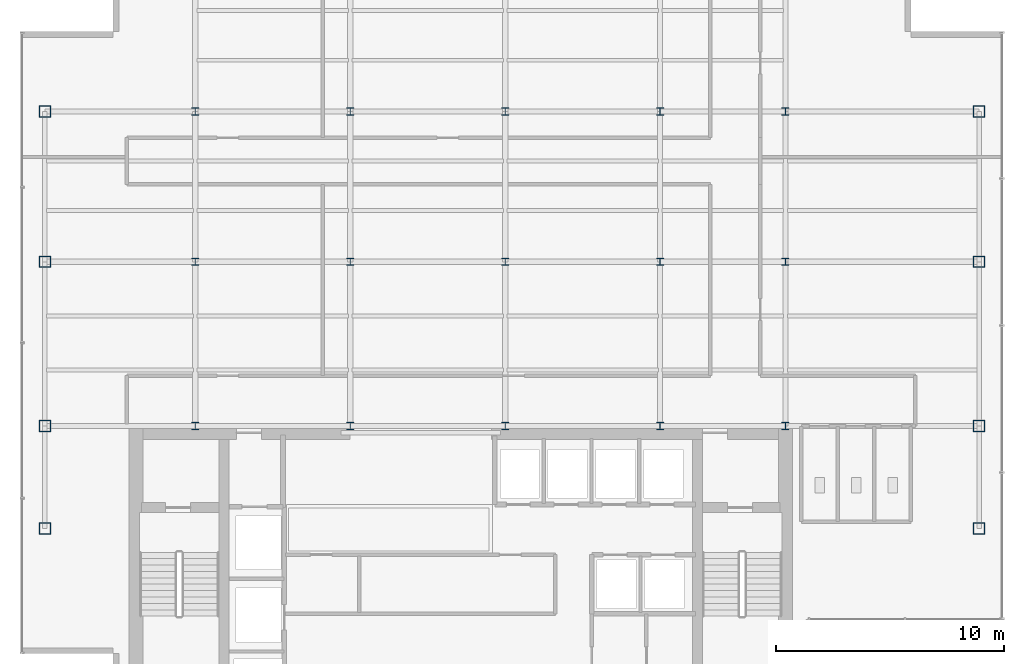
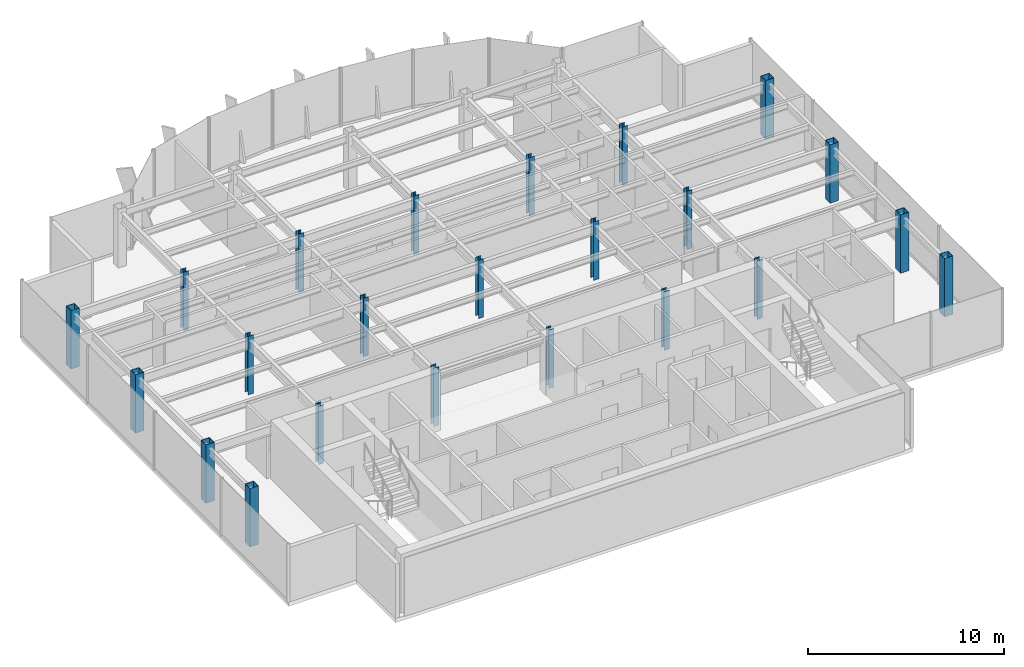
# One storey, part 1 of 22: 23 columns.
"""IFC4 building model written with IfcOpenShell, lengths in metres."""

from ifc_helpers import new_model, si_unit, derived_unit, direction, frame, origin, origin_2d, place, context, subcontext, project, spatial, hollow_rectangle, i_section, extrude, source, transform, mapped, material, material_profile, profile_set, type_object, element, save


model = new_model("IFC4")

# Units and contexts
model_context = context("Model", 3, precision=1e-05, world=origin(), true_north=direction((0.0, 1.0)))
body_context = subcontext(model_context, "Body", "Model", "MODEL_VIEW")
ifc_project = project(units=[si_unit("LENGTHUNIT", "METRE"), si_unit("AREAUNIT", "SQUARE_METRE"), si_unit("VOLUMEUNIT", "CUBIC_METRE"), si_unit("PLANEANGLEUNIT", "RADIAN"), si_unit("MASSUNIT", "GRAM", prefix="KILO"), derived_unit("THERMALTRANSMITTANCEUNIT", [(si_unit("POWERUNIT", "WATT"), 1), (si_unit("LENGTHUNIT", "METRE"), -2), (si_unit("THERMODYNAMICTEMPERATUREUNIT", "KELVIN"), -1)])], contexts=[model_context])

# Site, building, storey
site_placement = place(None, origin())
site = spatial("IfcSite", under=ifc_project, at=site_placement, CompositionType="ELEMENT")
building_placement = place(site_placement, origin())
building = spatial("IfcBuilding", under=site, at=building_placement, Name="Skarnbrae Concourse Arena and Tower", CompositionType="ELEMENT")
storey_placement = place(building_placement, frame((0.0, 0.0, 221.449951171875)))
storey = spatial("IfcBuildingStorey", under=building, at=storey_placement, Name="L57", CompositionType="ELEMENT", Elevation=221.449951171875)

# Columns
ifc_material = material(Name="Steel CSA G40.21 350W", Category="steel")
ifc_material_profile_1 = material_profile(ifc_material, hollow_rectangle(XDim=0.5, YDim=0.5, WallThickness=0.02197265625, at=origin_2d()), Name="HSS500X500X22.0")
ifc_profile_set_1 = profile_set([ifc_material_profile_1], Name="Steel CSA G40.21 350W")
column_type_1 = type_object("IfcColumnType", Name="COL-TUBE-HSS500", PredefinedType="COLUMN", material=ifc_profile_set_1)
shared_shape_1 = source(origin(), body_context, "Body", "SweptSolid", [
    extrude(hollow_rectangle(XDim=0.5, YDim=0.5, WallThickness=0.02197265625, at=origin_2d()), origin(), (0.0, 0.0, 1.0), 3.650146484375),
])
for number, where, z_axis, x_axis, name in (
    (1, (1.0, 9.5, 0.0), (0.0, 0.0, 1.0), (1.0, 0.0, 0.0), "L57 Tower column PC_01_01"),
    (2, (1.0, 14.0, 0.0), (0.0, 0.0, 1.0), (1.0, 0.0, 0.0), "L57 Tower column PC_01_02"),
    (3, (1.0, 21.199951171875, 0.0), (0.0, 0.0, 1.0), (1.0, 0.0, 0.0), "L57 Tower column PC_01_03"),
    (4, (1.0, 27.800048828125, 0.0), (0.0, 0.0, 1.0), (1.0, 0.0, 0.0), "L57 Tower column PC_01_04"),
    (5, (42.0, 9.5, 0.0), (0.0, 0.0, 1.0), (1.0, 0.0, 0.0), "L57 Tower column PC_07_01"),
    (6, (42.0, 14.0, 0.0), (0.0, 0.0, 1.0), (1.0, 0.0, 0.0), "L57 Tower column PC_07_02"),
    (7, (42.0, 21.199951171875, 0.0), (0.0, 0.0, 1.0), (1.0, 0.0, 0.0), "L57 Tower column PC_07_03"),
    (8, (42.0, 27.800048828125, 0.0), (0.0, 0.0, 1.0), (1.0, 0.0, 0.0), "L57 Tower column PC_07_04"),
):
    element("IfcColumn", number, at=place(storey_placement, frame(where, z_axis=z_axis, x_axis=x_axis)), inside=storey, type_object=column_type_1, Name=name, PredefinedType="COLUMN", context=body_context, shape_type="MappedRepresentation", body=[
        mapped(shared_shape_1, transform((0.0, 0.0, 0.0))),
    ])
ifc_material_profile_2 = material_profile(ifc_material, i_section(OverallWidth=0.30908203125, OverallDepth=0.322998046875, WebThickness=0.013916015625, FlangeThickness=0.02294921875, at=origin_2d()), Name="W310X143")
ifc_profile_set_2 = profile_set([ifc_material_profile_2], Name="Steel CSA G40.21 350W")
column_type_2 = type_object("IfcColumnType", Name="COL-INT-W310X143", PredefinedType="COLUMN", material=ifc_profile_set_2)
shared_shape_2 = source(origin(), body_context, "Body", "SweptSolid", [
    extrude(i_section(OverallWidth=0.30908203125, OverallDepth=0.322998046875, WebThickness=0.013916015625, FlangeThickness=0.02294921875, at=origin_2d()), origin(), (0.0, 0.0, 1.0), 3.650146484375),
])
for number, where, z_axis, x_axis, name in (
    (9, (7.60009765625, 14.0, 0.0), (0.0, 0.0, 1.0), (1.0, 0.0, 0.0), "L57 Tower column IC_02_02"),
    (10, (7.60009765625, 21.199951171875, 0.0), (0.0, 0.0, 1.0), (1.0, 0.0, 0.0), "L57 Tower column IC_02_03"),
    (11, (7.60009765625, 27.800048828125, 0.0), (0.0, 0.0, 1.0), (1.0, 0.0, 0.0), "L57 Tower column IC_02_04"),
    (12, (14.39990234375, 14.0, 0.0), (0.0, 0.0, 1.0), (1.0, 0.0, 0.0), "L57 Tower column IC_03_02"),
    (13, (14.39990234375, 21.199951171875, 0.0), (0.0, 0.0, 1.0), (1.0, 0.0, 0.0), "L57 Tower column IC_03_03"),
    (14, (14.39990234375, 27.800048828125, 0.0), (0.0, 0.0, 1.0), (1.0, 0.0, 0.0), "L57 Tower column IC_03_04"),
    (15, (21.199951171875, 14.0, 0.0), (0.0, 0.0, 1.0), (1.0, 0.0, 0.0), "L57 Tower column IC_04_02"),
    (16, (21.199951171875, 21.199951171875, 0.0), (0.0, 0.0, 1.0), (1.0, 0.0, 0.0), "L57 Tower column IC_04_03"),
    (17, (21.199951171875, 27.800048828125, 0.0), (0.0, 0.0, 1.0), (1.0, 0.0, 0.0), "L57 Tower column IC_04_04"),
    (18, (28.0, 14.0, 0.0), (0.0, 0.0, 1.0), (1.0, 0.0, 0.0), "L57 Tower column IC_05_02"),
    (19, (28.0, 21.199951171875, 0.0), (0.0, 0.0, 1.0), (1.0, 0.0, 0.0), "L57 Tower column IC_05_03"),
    (20, (28.0, 27.800048828125, 0.0), (0.0, 0.0, 1.0), (1.0, 0.0, 0.0), "L57 Tower column IC_05_04"),
    (21, (33.5, 14.0, 0.0), (0.0, 0.0, 1.0), (1.0, 0.0, 0.0), "L57 Tower column IC_06_02"),
    (22, (33.5, 21.199951171875, 0.0), (0.0, 0.0, 1.0), (1.0, 0.0, 0.0), "L57 Tower column IC_06_03"),
    (23, (33.5, 27.800048828125, 0.0), (0.0, 0.0, 1.0), (1.0, 0.0, 0.0), "L57 Tower column IC_06_04"),
):
    element("IfcColumn", number, at=place(storey_placement, frame(where, z_axis=z_axis, x_axis=x_axis)), inside=storey, type_object=column_type_2, Name=name, PredefinedType="COLUMN", context=body_context, shape_type="MappedRepresentation", body=[
        mapped(shared_shape_2, transform((0.0, 0.0, 0.0))),
    ])

save(model, "model.ifc")
